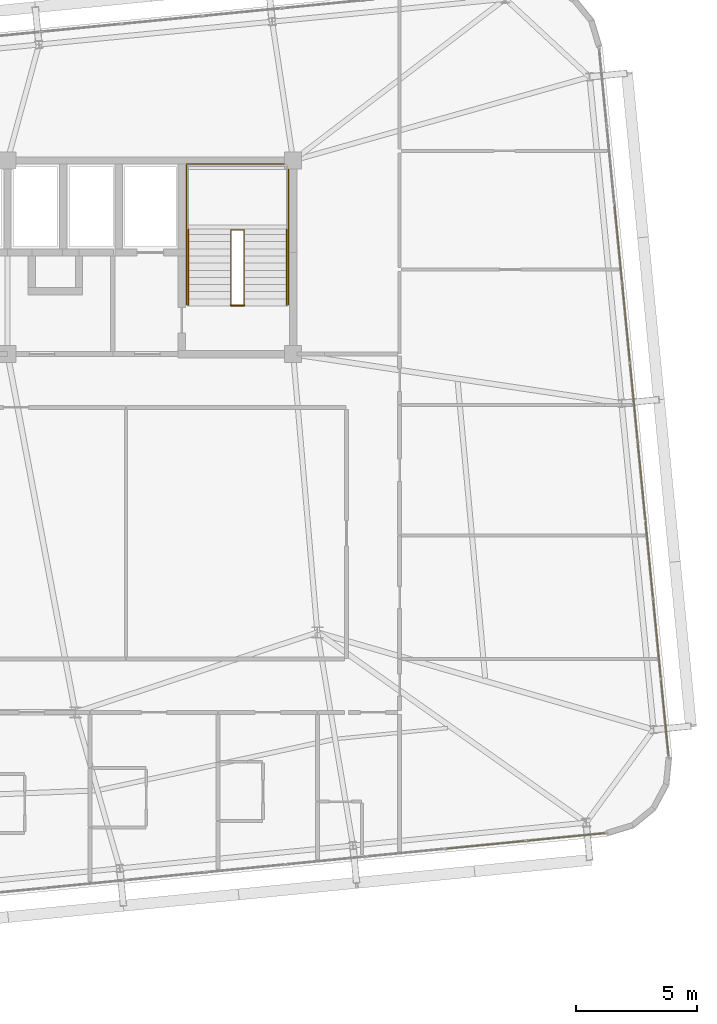
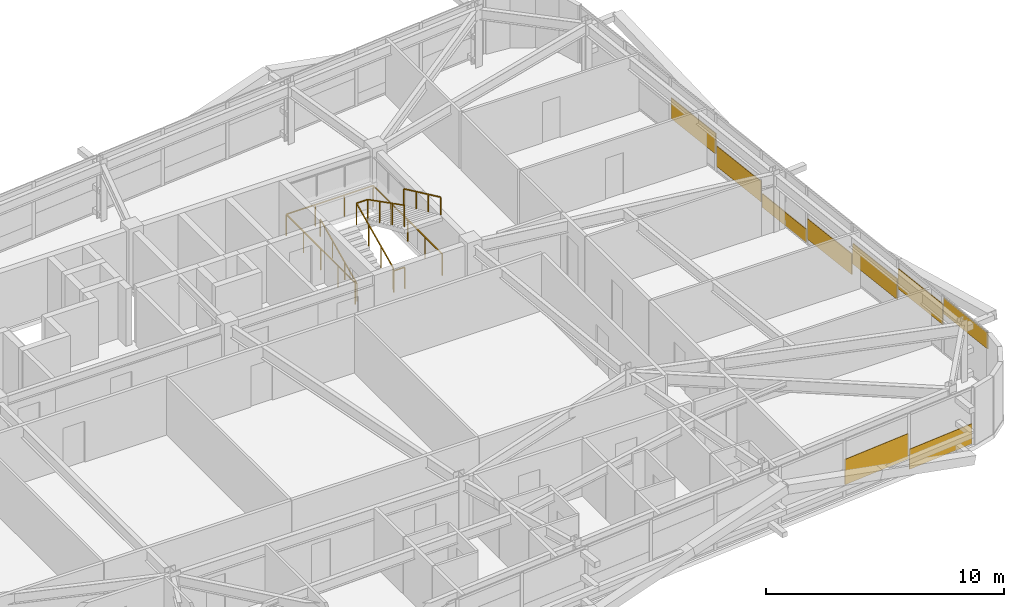
# One storey, part 52 of 53: 9 coverings, 5 railings.
"""IFC4 building model written with IfcOpenShell, lengths in metres."""

import ifcopenshell
import ifcopenshell.guid

model = None  # the IFC model being written
_history = None  # IfcOwnerHistory: only IFC2X3 demands one
_inside = {}  # id of a spatial element -> (the spatial element, [elements in it])
_under = {}  # id of a project, library or spatial element -> (it, [spatial elements below it])
_declared = {}  # id of a project -> (the project, [libraries it declares])
_typed = {}  # id of a type object -> (the type object, [elements of that type])
_made_of = {}  # id of a material, layer set ... -> (it, [elements and type objects made of it])


def new_model(schema):
    """Start an empty IFC model of exactly this schema.

    Asked for "IFC4X3", IfcOpenShell would pick the latest addendum, in which some entities
    have other attributes; the version numbers below select the first issue.
    IFC2X3 requires an IfcOwnerHistory on every rooted entity: one is made here for all.
    """
    global model, _history
    if schema == "IFC4X3":
        model = ifcopenshell.file(schema_version=(4, 3, 0, 0))
    else:
        model = ifcopenshell.file(schema=schema)
    _inside.clear()
    _under.clear()
    _declared.clear()
    _typed.clear()
    _made_of.clear()
    _history = None
    if model.schema == "IFC2X3":
        org = make("IfcOrganization", Name="unknown")
        user = make(
            "IfcPersonAndOrganization",
            ThePerson=make("IfcPerson", FamilyName="unknown"),
            TheOrganization=org,
        )
        app = make(
            "IfcApplication",
            ApplicationDeveloper=org,
            Version="unknown",
            ApplicationFullName="unknown",
            ApplicationIdentifier="unknown",
        )
        _history = make(
            "IfcOwnerHistory",
            OwningUser=user,
            OwningApplication=app,
            ChangeAction="ADDED",
            CreationDate=0,
        )
    return model


def make(cls, **values):
    """One entity of the class cls with the attributes given. An attribute that is None is left unset."""
    return model.create_entity(
        cls, **{name: value for name, value in values.items() if value is not None}
    )


def rooted(cls, **values):
    """An entity with a GlobalId (a new one), such as an element, a storey or a relation."""
    return make(cls, GlobalId=ifcopenshell.guid.new(), OwnerHistory=_history, **values)


def si_unit(unit_type, name, prefix=None):
    """IfcSIUnit, for example si_unit("LENGTHUNIT", "METRE", prefix="MILLI")."""
    return make("IfcSIUnit", UnitType=unit_type, Prefix=prefix, Name=name)


def assignment(units):
    """IfcUnitAssignment: the units of a project."""
    return None if units is None else make("IfcUnitAssignment", Units=units)


def point(xyz):
    """IfcCartesianPoint."""
    return None if xyz is None else make("IfcCartesianPoint", Coordinates=xyz)


def direction(xyz):
    """IfcDirection."""
    return None if xyz is None else make("IfcDirection", DirectionRatios=xyz)


def frame(location, z_axis=None, x_axis=None):
    """IfcAxis2Placement3D, a coordinate frame: its origin and axes. An axis left out is left unset."""
    return make(
        "IfcAxis2Placement3D",
        Location=point(location),
        Axis=direction(z_axis),
        RefDirection=direction(x_axis),
    )


def frame_2d(location, x_axis=None):
    """IfcAxis2Placement2D, a coordinate frame in the plane: its origin and x axis."""
    return make(
        "IfcAxis2Placement2D", Location=point(location), RefDirection=direction(x_axis)
    )


def origin():
    """The frame at (0, 0, 0) with its axes left unset."""
    return frame((0.0, 0.0, 0.0))


def origin_2d():
    """The frame at (0, 0) in the plane with its x axis left unset."""
    return frame_2d((0.0, 0.0))


def place(relative_to, where):
    """IfcLocalPlacement: puts the frame where relative to a parent placement (None: the world)."""
    return make(
        "IfcLocalPlacement", PlacementRelTo=relative_to, RelativePlacement=where
    )


def context(
    kind, dimensions, precision=None, world=None, true_north=None, identifier=None
):
    """IfcGeometricRepresentationContext, for example the 3D "Model" context."""
    return make(
        "IfcGeometricRepresentationContext",
        ContextIdentifier=identifier,
        ContextType=kind,
        CoordinateSpaceDimension=dimensions,
        Precision=precision,
        WorldCoordinateSystem=world,
        TrueNorth=true_north,
    )


def subcontext(parent, identifier, kind, view, scale=None):
    """IfcGeometricRepresentationSubContext, for example "Body" below "Model"."""
    return make(
        "IfcGeometricRepresentationSubContext",
        ContextIdentifier=identifier,
        ContextType=kind,
        ParentContext=parent,
        TargetScale=scale,
        TargetView=view,
    )


def project(units=None, contexts=None):
    """IfcProject with its units and contexts."""
    return rooted(
        "IfcProject",
        Name="project",
        RepresentationContexts=contexts,
        UnitsInContext=assignment(units),
    )


def spatial(cls, under=None, at=None, **own):
    """A site, building, storey or space (cls), placed at a placement, below another one or the project."""
    s = rooted(cls, ObjectPlacement=at, **own)
    if under is not None:
        _under.setdefault(under.id(), (under, []))[1].append(s)
    return s


def profile(cls, at=None, kind="AREA", **sizes):
    """A parametric profile (cls). Its sizes go by their IFC names, for example OverallWidth=200.0."""
    return make(cls, ProfileType=kind, Position=at, **sizes)


def rectangle(**sizes):
    """IfcRectangleProfileDef."""
    return profile("IfcRectangleProfileDef", **sizes)


def extrude(swept, where, along, depth):
    """IfcExtrudedAreaSolid: the profile swept, set in the frame where, extruded along a direction by depth."""
    return make(
        "IfcExtrudedAreaSolid",
        SweptArea=swept,
        Position=where,
        ExtrudedDirection=direction(along),
        Depth=depth,
    )


def shape(context_of_items, identifier, shape_type, items):
    """IfcShapeRepresentation: the items that make up one representation, for example the "Body"."""
    return make(
        "IfcShapeRepresentation",
        ContextOfItems=context_of_items,
        RepresentationIdentifier=identifier,
        RepresentationType=shape_type,
        Items=items,
    )


def source(mapping_origin, context_of_items, identifier, shape_type, items):
    """IfcRepresentationMap: a shape defined once, which mapped items show again and again."""
    return make(
        "IfcRepresentationMap",
        MappingOrigin=mapping_origin,
        MappedRepresentation=shape(context_of_items, identifier, shape_type, items),
    )


def transform(
    local_origin,
    x_axis=None,
    y_axis=None,
    z_axis=None,
    scale=None,
    scale2=None,
    scale3=None,
    uniform=True,
):
    """IfcCartesianTransformationOperator3D, or its non-uniform kind. x_axis, y_axis, z_axis: its Axis1, 2, 3."""
    if uniform:
        return make(
            "IfcCartesianTransformationOperator3D",
            Axis1=direction(x_axis),
            Axis2=direction(y_axis),
            LocalOrigin=point(local_origin),
            Scale=scale,
            Axis3=direction(z_axis),
        )
    return make(
        "IfcCartesianTransformationOperator3DnonUniform",
        Axis1=direction(x_axis),
        Axis2=direction(y_axis),
        LocalOrigin=point(local_origin),
        Scale=scale,
        Axis3=direction(z_axis),
        Scale2=scale2,
        Scale3=scale3,
    )


def mapped(mapping_source, mapping_target):
    """IfcMappedItem: shows the shape of a source again, moved by a transform."""
    return make(
        "IfcMappedItem", MappingSource=mapping_source, MappingTarget=mapping_target
    )


def material(Name=None, Category=None):
    """IfcMaterial."""
    return make("IfcMaterial", Name=Name, Category=Category)


def layer(
    of_material, thickness, ventilated=None, Name=None, Category=None, Priority=None
):
    """IfcMaterialLayer: one layer of a wall or slab, of a material (None: an air gap)."""
    return make(
        "IfcMaterialLayer",
        Material=of_material,
        LayerThickness=thickness,
        IsVentilated=ventilated,
        Name=Name,
        Category=Category,
        Priority=Priority,
    )


def layer_set(layers, Name=None):
    """IfcMaterialLayerSet."""
    return make("IfcMaterialLayerSet", MaterialLayers=layers, LayerSetName=Name)


def made_of(thing, what):
    """Note that an element or type object is made of a material, layer set ...; save() writes the relation."""
    if what is not None:
        _made_of.setdefault(what.id(), (what, []))[1].append(thing)
    return thing


def type_object(cls, material=None, **own):
    """A type object (cls), such as IfcWallType, which elements share."""
    return made_of(rooted(cls, **own), material)


def element(
    cls,
    number,
    at=None,
    inside=None,
    cuts=None,
    type_object=None,
    material=None,
    context=None,
    identifier="Body",
    shape_type=None,
    held_by="IfcProductDefinitionShape",
    body=None,
    shapes=None,
    **own,
):
    """One element of the class cls, such as IfcWall. Its Tag is "e" and its number.

    at: its placement. inside: the storey or other place that contains it. cuts: it is an
    opening in that element (IfcRelVoidsElement). A single representation is given by context,
    identifier, shape_type and body (its items); several are given by shapes. held_by: the class
    of the entity that holds the representations. save() writes the other relations.
    """
    e = rooted(cls, Tag="e%d" % number, ObjectPlacement=at, **own)
    if body is not None:
        shapes = [shape(context, identifier, shape_type, body)]
    if shapes is not None:
        e.Representation = make(held_by, Representations=shapes)
    if inside is not None:
        _inside.setdefault(inside.id(), (inside, []))[1].append(e)
    if cuts is not None:
        rooted(
            "IfcRelVoidsElement", RelatingBuildingElement=cuts, RelatedOpeningElement=e
        )
    if type_object is not None:
        _typed.setdefault(type_object.id(), (type_object, []))[1].append(e)
    return made_of(e, material)


def aggregate(whole, parts):
    """IfcRelAggregates: a whole, such as a stair, and the parts it consists of."""
    return rooted("IfcRelAggregates", RelatingObject=whole, RelatedObjects=parts)


def save(model, path):
    """Write the relations noted so far, then the file.

    IfcRelAggregates (storeys below a building ...), IfcRelContainedInSpatialStructure (elements
    in a storey), IfcRelDefinesByType, IfcRelAssociatesMaterial and IfcRelDeclares: one each for
    every whole, place, type object, material and project.
    """
    for whole, parts in _under.values():
        aggregate(whole, parts)
    for where, things in _inside.values():
        rooted(
            "IfcRelContainedInSpatialStructure",
            RelatedElements=things,
            RelatingStructure=where,
        )
    for kind, things in _typed.values():
        rooted("IfcRelDefinesByType", RelatedObjects=things, RelatingType=kind)
    for what, things in _made_of.values():
        rooted("IfcRelAssociatesMaterial", RelatedObjects=things, RelatingMaterial=what)
    for by, libraries in _declared.values():
        rooted("IfcRelDeclares", RelatingContext=by, RelatedDefinitions=libraries)
    model.write(path)


model = new_model("IFC4")

# Units and contexts
model_context = context("Model", 3, precision=1e-05, world=origin(), true_north=direction((0.0, 1.0)))
body_context = subcontext(model_context, "Body", "Model", "MODEL_VIEW")
ifc_project = project(units=[si_unit("LENGTHUNIT", "METRE"), si_unit("AREAUNIT", "SQUARE_METRE"), si_unit("VOLUMEUNIT", "CUBIC_METRE"), si_unit("PLANEANGLEUNIT", "RADIAN"), si_unit("MASSUNIT", "GRAM", prefix="KILO")], contexts=[model_context])

# Site, building, storey
site_placement = place(None, origin())
site = spatial("IfcSite", under=ifc_project, at=site_placement, CompositionType="ELEMENT")
building_placement = place(site_placement, origin())
building = spatial("IfcBuilding", under=site, at=building_placement, Name="Taldren Reach Tower", CompositionType="ELEMENT")
storey_placement = place(building_placement, frame((0.0, 0.0, 71.39990234375)))
storey = spatial("IfcBuildingStorey", under=building, at=storey_placement, Name="L21", CompositionType="ELEMENT", Elevation=71.39990234375)

# Railings
ifc_material_1 = material(Name="Steel Gr 350 (C350L0)", Category="steel")
ifc_layer_1 = layer(ifc_material_1, 0.050048828125)
ifc_layer_set_1 = layer_set([ifc_layer_1], Name="Steel Gr 350 (C350L0)")
railing_type_1 = type_object("IfcRailingType", Name="RL-STAIR-GR", PredefinedType="GUARDRAIL", material=ifc_layer_set_1)
railing_1_placement = place(storey_placement, frame((48.429931640625, 26.050048828125, 0.13134765625)))
element("IfcRailing", 1, at=railing_1_placement, inside=storey, type_object=railing_type_1, Name="Stairwell inner guard ST2-L21", PredefinedType="GUARDRAIL", context=body_context, shape_type="SweptSolid", body=[
    extrude(rectangle(XDim=0.047852, YDim=0.047852, at=origin_2d()), frame((0.0, 0.0, 1.09619140625), z_axis=(0.0, 0.905710134349, 0.423897573167), x_axis=(-1.0, 0.0, 0.0)), (0.0, 0.0, 1.0), 3.406005859375),
    extrude(rectangle(XDim=0.047852, YDim=0.047852, at=origin_2d()), frame((0.0, 3.0849609375, 2.5400390625), z_axis=(1.0, 0.0, 0.0), x_axis=(0.0, 1.0, 0.0)), (0.0, 0.0, 1.0), 0.5400390625),
    extrude(rectangle(XDim=0.047852, YDim=0.047852, at=origin_2d()), frame((0.5400390625, 3.0849609375, 2.5400390625), z_axis=(0.0, -0.890645957773, 0.45469745755), x_axis=(1.0, 0.0, 0.0)), (0.0, 0.0, 1.0), 3.463623046875),
    extrude(rectangle(XDim=0.041992, YDim=0.041992, at=origin_2d()), origin(), (0.0, 0.0, 1.0), 1.072021484375),
    extrude(rectangle(XDim=0.041992, YDim=0.041992, at=origin_2d()), frame((0.0, 1.0283203125, 0.481201171875)), (0.0, 0.0, 1.0), 1.072021484375),
    extrude(rectangle(XDim=0.041992, YDim=0.041992, at=origin_2d()), frame((0.0, 2.056640625, 0.962646484375)), (0.0, 0.0, 1.0), 1.072021484375),
    extrude(rectangle(XDim=0.041992, YDim=0.041992, at=origin_2d()), frame((0.0, 3.0849609375, 1.44384765625)), (0.0, 0.0, 1.0), 1.072021484375),
    extrude(rectangle(XDim=0.041992, YDim=0.041992, at=origin_2d()), frame((0.5400390625, 3.0849609375, 1.44384765625)), (0.0, 0.0, 1.0), 1.072021484375),
    extrude(rectangle(XDim=0.041992, YDim=0.041992, at=origin_2d()), frame((0.5400390625, 2.056640625, 1.96875)), (0.0, 0.0, 1.0), 1.072021484375),
    extrude(rectangle(XDim=0.041992, YDim=0.041992, at=origin_2d()), frame((0.5400390625, 1.0283203125, 2.493896484375)), (0.0, 0.0, 1.0), 1.072021484375),
    extrude(rectangle(XDim=0.041992, YDim=0.041992, at=origin_2d()), frame((0.5400390625, 0.0, 3.018798828125)), (0.0, 0.0, 1.0), 1.072021484375),
])
railing_2_placement = place(storey_placement, frame((48.429931640625, 26.010009765625, 0.0)))
element("IfcRailing", 2, at=railing_2_placement, inside=storey, type_object=railing_type_1, Name="Stairwell landing slot guard ST2-L21", PredefinedType="GUARDRAIL", context=body_context, shape_type="SweptSolid", body=[
    extrude(rectangle(XDim=0.047852, YDim=0.047852, at=origin_2d()), frame((0.0, 0.0, 1.09619140625), z_axis=(1.0, 0.0, 0.0), x_axis=(0.0, 1.0, 0.0)), (0.0, 0.0, 1.0), 0.5400390625),
    extrude(rectangle(XDim=0.041992, YDim=0.041992, at=origin_2d()), origin(), (0.0, 0.0, 1.0), 1.072021484375),
    extrude(rectangle(XDim=0.041992, YDim=0.041992, at=origin_2d()), frame((0.5400390625, 0.0, 0.0)), (0.0, 0.0, 1.0), 1.072021484375),
])
railing_3_placement = place(storey_placement, frame((46.590087890625, 26.050048828125, 0.0)))
element("IfcRailing", 3, at=railing_3_placement, inside=storey, type_object=railing_type_1, Name="Stairwell floor opening guard ST2-L21", PredefinedType="GUARDRAIL", context=body_context, shape_type="SweptSolid", body=[
    extrude(rectangle(XDim=0.047852, YDim=0.047852, at=origin_2d()), frame((0.0, 0.0, 1.09619140625), z_axis=(0.0, 1.0, 0.0), x_axis=(-1.0, 0.0, 0.0)), (0.0, 0.0, 1.0), 5.800048828125),
    extrude(rectangle(XDim=0.047852, YDim=0.047852, at=origin_2d()), frame((0.0, 5.800048828125, 1.09619140625), z_axis=(1.0, 0.0, 0.0), x_axis=(0.0, 1.0, 0.0)), (0.0, 0.0, 1.0), 4.219970703125),
    extrude(rectangle(XDim=0.047852, YDim=0.047852, at=origin_2d()), frame((4.219970703125, 5.800048828125, 1.09619140625), z_axis=(0.0, -1.0, 0.0), x_axis=(1.0, 0.0, 0.0)), (0.0, 0.0, 1.0), 5.800048828125),
    extrude(rectangle(XDim=0.041992, YDim=0.041992, at=origin_2d()), origin(), (0.0, 0.0, 1.0), 1.072021484375),
    extrude(rectangle(XDim=0.041992, YDim=0.041992, at=origin_2d()), frame((0.0, 1.449951171875, 0.0)), (0.0, 0.0, 1.0), 1.072021484375),
    extrude(rectangle(XDim=0.041992, YDim=0.041992, at=origin_2d()), frame((0.0, 2.89990234375, 0.0)), (0.0, 0.0, 1.0), 1.072021484375),
    extrude(rectangle(XDim=0.041992, YDim=0.041992, at=origin_2d()), frame((0.0, 4.35009765625, 0.0)), (0.0, 0.0, 1.0), 1.072021484375),
    extrude(rectangle(XDim=0.041992, YDim=0.041992, at=origin_2d()), frame((0.0, 5.800048828125, 0.0)), (0.0, 0.0, 1.0), 1.072021484375),
    extrude(rectangle(XDim=0.041992, YDim=0.041992, at=origin_2d()), frame((1.40673828125, 5.800048828125, 0.0)), (0.0, 0.0, 1.0), 1.072021484375),
    extrude(rectangle(XDim=0.041992, YDim=0.041992, at=origin_2d()), frame((2.813232421875, 5.800048828125, 0.0)), (0.0, 0.0, 1.0), 1.072021484375),
    extrude(rectangle(XDim=0.041992, YDim=0.041992, at=origin_2d()), frame((4.219970703125, 5.800048828125, 0.0)), (0.0, 0.0, 1.0), 1.072021484375),
    extrude(rectangle(XDim=0.041992, YDim=0.041992, at=origin_2d()), frame((4.219970703125, 4.35009765625, 0.0)), (0.0, 0.0, 1.0), 1.072021484375),
    extrude(rectangle(XDim=0.041992, YDim=0.041992, at=origin_2d()), frame((4.219970703125, 2.89990234375, 0.0)), (0.0, 0.0, 1.0), 1.072021484375),
    extrude(rectangle(XDim=0.041992, YDim=0.041992, at=origin_2d()), frame((4.219970703125, 1.449951171875, 0.0)), (0.0, 0.0, 1.0), 1.072021484375),
    extrude(rectangle(XDim=0.041992, YDim=0.041992, at=origin_2d()), frame((4.219970703125, 0.0, 0.0)), (0.0, 0.0, 1.0), 1.072021484375),
])
ifc_material_2 = material(Name="Stainless Steel Gr 316", Category="steel")
ifc_layer_2 = layer(ifc_material_2, 0.048095703125)
ifc_layer_set_2 = layer_set([ifc_layer_2], Name="Stainless Steel Gr 316")
railing_type_2 = type_object("IfcRailingType", Name="RL-STAIR-HR", PredefinedType="HANDRAIL", material=ifc_layer_set_2)
railing_4_placement = place(storey_placement, frame((46.669921875, 26.050048828125, 0.13134765625)))
element("IfcRailing", 4, at=railing_4_placement, inside=storey, type_object=railing_type_2, Name="Stair flight handrail ST2-L21-1", PredefinedType="HANDRAIL", context=body_context, shape_type="SweptSolid", body=[
    extrude(rectangle(XDim=0.047852, YDim=0.047852, at=origin_2d()), frame((0.0, 0.0, 0.89599609375), z_axis=(0.0, 0.905710134349, 0.423897573167), x_axis=(-1.0, 0.0, 0.0)), (0.0, 0.0, 1.0), 3.406005859375),
    extrude(rectangle(XDim=0.041992, YDim=0.041992, at=origin_2d()), origin(), (0.0, 0.0, 1.0), 0.871826171875),
    extrude(rectangle(XDim=0.041992, YDim=0.041992, at=origin_2d()), frame((0.0, 1.0283203125, 0.481201171875)), (0.0, 0.0, 1.0), 0.871826171875),
    extrude(rectangle(XDim=0.041992, YDim=0.041992, at=origin_2d()), frame((0.0, 2.056640625, 0.962646484375)), (0.0, 0.0, 1.0), 0.871826171875),
    extrude(rectangle(XDim=0.041992, YDim=0.041992, at=origin_2d()), frame((0.0, 3.0849609375, 1.44384765625)), (0.0, 0.0, 1.0), 0.871826171875),
])
railing_5_placement = place(storey_placement, frame((50.72998046875, 29.135009765625, 1.706298828125)))
element("IfcRailing", 5, at=railing_5_placement, inside=storey, type_object=railing_type_2, Name="Stair flight handrail ST2-L21-2", PredefinedType="HANDRAIL", context=body_context, shape_type="SweptSolid", body=[
    extrude(rectangle(XDim=0.047852, YDim=0.047852, at=origin_2d()), frame((0.0, 0.0, 0.89599609375), z_axis=(0.0, -0.905710134349, 0.423897573167), x_axis=(1.0, 0.0, 0.0)), (0.0, 0.0, 1.0), 3.406005859375),
    extrude(rectangle(XDim=0.041992, YDim=0.041992, at=origin_2d()), origin(), (0.0, 0.0, 1.0), 0.871826171875),
    extrude(rectangle(XDim=0.041992, YDim=0.041992, at=origin_2d()), frame((0.0, -1.0283203125, 0.481201171875)), (0.0, 0.0, 1.0), 0.871826171875),
    extrude(rectangle(XDim=0.041992, YDim=0.041992, at=origin_2d()), frame((0.0, -2.056640625, 0.962646484375)), (0.0, 0.0, 1.0), 0.871826171875),
    extrude(rectangle(XDim=0.041992, YDim=0.041992, at=origin_2d()), frame((0.0, -3.0849609375, 1.44384765625)), (0.0, 0.0, 1.0), 0.871826171875),
])

# Coverings
ifc_material_3 = material(Name="Pale Champagne Fluoropolymer Aluminium Spandrel Cladding", Category="aluminium")
ifc_layer_3 = layer(ifc_material_3, 0.0439453125)
ifc_layer_set_3 = layer_set([ifc_layer_3], Name="Pale Champagne Fluoropolymer Aluminium Spandrel Cladding")
covering_type = type_object("IfcCoveringType", Name="CV-CLAD-044", PredefinedType="CLADDING", material=ifc_layer_set_3)
shared_shape_1 = source(origin(), body_context, "Body", "SweptSolid", [
    extrude(rectangle(XDim=3.268310546875, YDim=0.0439453125, at=origin_2d()), origin(), (0.0, 0.0, 1.0), 1.3046875),
])
covering_1_placement = place(storey_placement, frame((58.972900390625, 3.7255859375, 0.6220703125), z_axis=(0.0, 0.0, 1.0), x_axis=(0.995227390247, 0.097582999046, 0.0)))
element("IfcCovering", 6, at=covering_1_placement, inside=storey, type_object=covering_type, Name="Diagrid closure cladding strip CW-3 panel 14.1 1", PredefinedType="CLADDING", context=body_context, shape_type="MappedRepresentation", body=[
    mapped(shared_shape_1, transform((0.0, 0.0, 0.0), scale=1.0)),
])
shared_shape_2 = source(origin(), body_context, "Body", "SweptSolid", [
    extrude(rectangle(XDim=3.23583984375, YDim=0.0439453125, at=origin_2d()), origin(), (0.0, 0.0, 1.0), 1.034912109375),
])
covering_2_placement = place(storey_placement, frame((62.274169921875, 4.04931640625, 0.05517578125), z_axis=(0.0, 0.0, 1.0), x_axis=(0.995227390247, 0.097582999046, 0.0)))
element("IfcCovering", 7, at=covering_2_placement, inside=storey, type_object=covering_type, Name="Diagrid closure cladding strip CW-3 panel 15.1 1", PredefinedType="CLADDING", context=body_context, shape_type="MappedRepresentation", body=[
    mapped(shared_shape_2, transform((0.0, 0.0, 0.0), scale=1.0)),
])
shared_shape_3 = source(origin(), body_context, "Body", "SweptSolid", [
    extrude(rectangle(XDim=3.18017578125, YDim=0.0439453125, at=origin_2d()), origin(), (0.0, 0.0, 1.0), 0.83056640625),
])
covering_3_placement = place(storey_placement, frame((66.35498046875, 8.986328125, 2.044677734375), z_axis=(0.0, 0.0, 1.0), x_axis=(-0.09758274098, 0.99522741555, 0.0)))
element("IfcCovering", 8, at=covering_3_placement, inside=storey, type_object=covering_type, Name="Diagrid closure cladding strip CW-3 panel 1.1 1", PredefinedType="CLADDING", context=body_context, shape_type="MappedRepresentation", body=[
    mapped(shared_shape_3, transform((0.0, 0.0, 0.0), scale=1.0)),
])
shared_shape_4 = source(origin(), body_context, "Body", "SweptSolid", [
    extrude(rectangle(XDim=3.212890625, YDim=0.0439453125, at=origin_2d()), origin(), (0.0, 0.0, 1.0), 1.053466796875),
])
for number, where, z_axis, x_axis, name in (
    (9, (66.03662109375, 12.232177734375, 1.45703125), (0.0, 0.0, 1.0), (-0.09758274098, 0.99522741555, 0.0), "Diagrid closure cladding strip CW-3 panel 2.1 1"),
    (10, (65.716796875, 15.494384765625, 0.869140625), (0.0, 0.0, 1.0), (-0.09758274098, 0.99522741555, 0.0), "Diagrid closure cladding strip CW-3 panel 3.1 1"),
    (11, (65.39697265625, 18.756591796875, 0.28125), (0.0, 0.0, 1.0), (-0.09758274098, 0.99522741555, 0.0), "Diagrid closure cladding strip CW-3 panel 4.1 1"),
    (12, (64.757080078125, 25.28076171875, 0.28125), (0.0, 0.0, 1.0), (-0.09758274098, 0.99522741555, 0.0), "Diagrid closure cladding strip CW-3 panel 6.1 1"),
    (13, (64.437255859375, 28.54296875, 0.869140625), (0.0, 0.0, 1.0), (-0.09758274098, 0.99522741555, 0.0), "Diagrid closure cladding strip CW-3 panel 7.1 1"),
):
    element("IfcCovering", number, at=place(storey_placement, frame(where, z_axis=z_axis, x_axis=x_axis)), inside=storey, type_object=covering_type, Name=name, PredefinedType="CLADDING", context=body_context, shape_type="MappedRepresentation", body=[
        mapped(shared_shape_4, transform((0.0, 0.0, 0.0), scale=1.0)),
    ])
shared_shape_5 = source(origin(), body_context, "Body", "SweptSolid", [
    extrude(rectangle(XDim=3.212890625, YDim=0.0439453125, at=origin_2d()), origin(), (0.0, 0.0, 1.0), 0.691650390625),
])
covering_4_placement = place(storey_placement, frame((65.0771484375, 22.0185546875, 0.05517578125), z_axis=(0.0, 0.0, 1.0), x_axis=(-0.09758274098, 0.99522741555, 0.0)))
element("IfcCovering", 14, at=covering_4_placement, inside=storey, type_object=covering_type, Name="Diagrid closure cladding strip CW-3 panel 5.1 1", PredefinedType="CLADDING", context=body_context, shape_type="MappedRepresentation", body=[
    mapped(shared_shape_5, transform((0.0, 0.0, 0.0), scale=1.0)),
])

save(model, "model.ifc")
